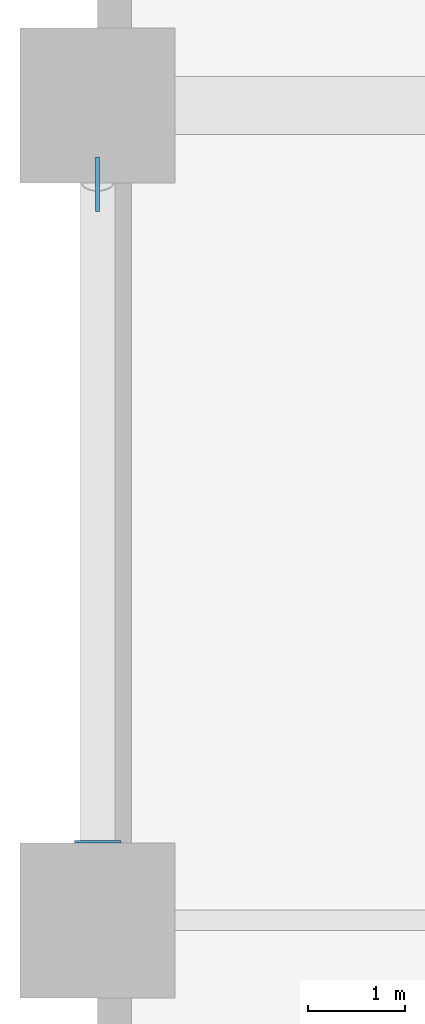
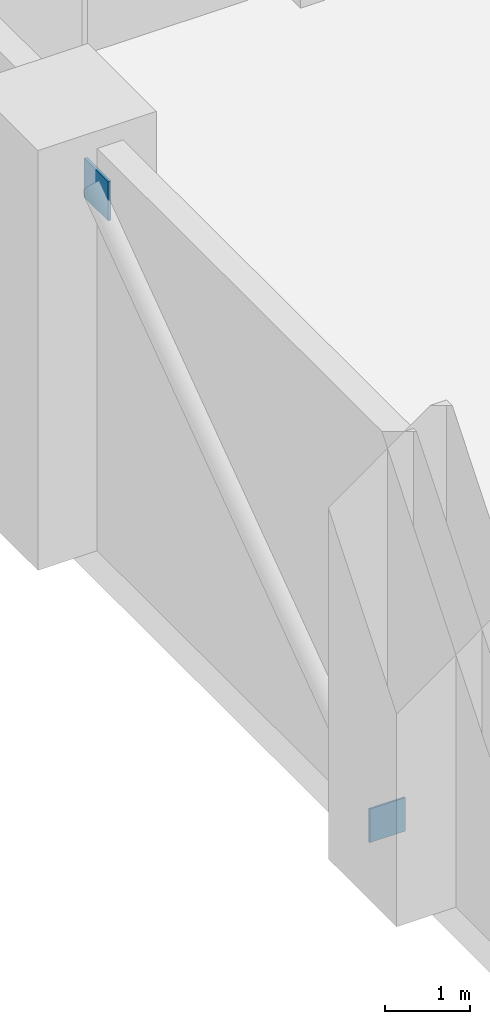
# One storey, part 11 of 20: 2 plates.
"""IFC4 building model written with IfcOpenShell, lengths in metres."""

from ifc_helpers import new_model, si_unit, direction, frame, origin, origin_2d, place, context, subcontext, project, spatial, rectangle, extrude, material, layer, layer_set, type_object, element, save


model = new_model("IFC4")

# Units and contexts
model_context = context("Model", 3, precision=1e-05, world=origin(), true_north=direction((0.0, 1.0)))
body_context = subcontext(model_context, "Body", "Model", "MODEL_VIEW")
ifc_project = project(units=[si_unit("LENGTHUNIT", "METRE"), si_unit("AREAUNIT", "SQUARE_METRE"), si_unit("VOLUMEUNIT", "CUBIC_METRE"), si_unit("PLANEANGLEUNIT", "RADIAN"), si_unit("MASSUNIT", "GRAM", prefix="KILO")], contexts=[model_context])

# Site, building, storey
site_placement = place(None, origin())
site = spatial("IfcSite", under=ifc_project, at=site_placement, CompositionType="ELEMENT")
building_placement = place(site_placement, origin())
building = spatial("IfcBuilding", under=site, at=building_placement, Name="Koriwani Terraces Tower", CompositionType="ELEMENT")
storey_placement = place(building_placement, frame((0.0, 0.0, 26.0)))
storey = spatial("IfcBuildingStorey", under=building, at=storey_placement, Name="L05", CompositionType="ELEMENT", Elevation=26.0)

# Plates
ifc_material = material(Name="Steel ASTM A572 Grade 50", Category="steel")
ifc_layer_1 = layer(ifc_material, 0.02490234375, Name="Steel ASTM A572 Grade 50")
ifc_layer_set_1 = layer_set([ifc_layer_1], Name="Steel ASTM A572 Grade 50")
plate_type_1 = type_object("IfcPlateType", Name="STEEL_CAP_PLATE_25", PredefinedType="USERDEFINED", material=ifc_layer_set_1)
plate_1_placement = place(storey_placement, frame((0.0, 76.412353515625, 0.033447265625), z_axis=(0.0, 0.0, 1.0), x_axis=(0.0, 1.0, 0.0)))
element("IfcPlate", 1, at=plate_1_placement, inside=storey, type_object=plate_type_1, Name="Brace End Cap Plate BT-L05-BW4", ObjectType="FLANGE_PLATE", PredefinedType="USERDEFINED", context=body_context, shape_type="SweptSolid", body=[
    extrude(rectangle(XDim=0.02490234375, YDim=0.47998046875, at=origin_2d()), origin(), (0.0, 0.0, 1.0), 0.47998046875),
])
ifc_layer_2 = layer(ifc_material, 0.0400390625, Name="Steel ASTM A572 Grade 50")
ifc_layer_set_2 = layer_set([ifc_layer_2], Name="Steel ASTM A572 Grade 50")
plate_type_2 = type_object("IfcPlateType", Name="STEEL_GUSSET_PLATE_40", PredefinedType="USERDEFINED", material=ifc_layer_set_2)
plate_2_placement = place(storey_placement, frame((0.0, 83.1875, 4.896484375), z_axis=(0.0, 0.0, 1.0), x_axis=(0.0, 1.0, 0.0)))
element("IfcPlate", 2, at=plate_2_placement, inside=storey, type_object=plate_type_2, Name="Brace Node Gusset Plate BT-L05-BW4", ObjectType="GUSSET_PLATE", PredefinedType="USERDEFINED", context=body_context, shape_type="SweptSolid", body=[
    extrude(rectangle(XDim=0.56005859375, YDim=0.0400390625, at=origin_2d()), origin(), (0.0, 0.0, 1.0), 0.56005859375),
])

save(model, "model.ifc")
